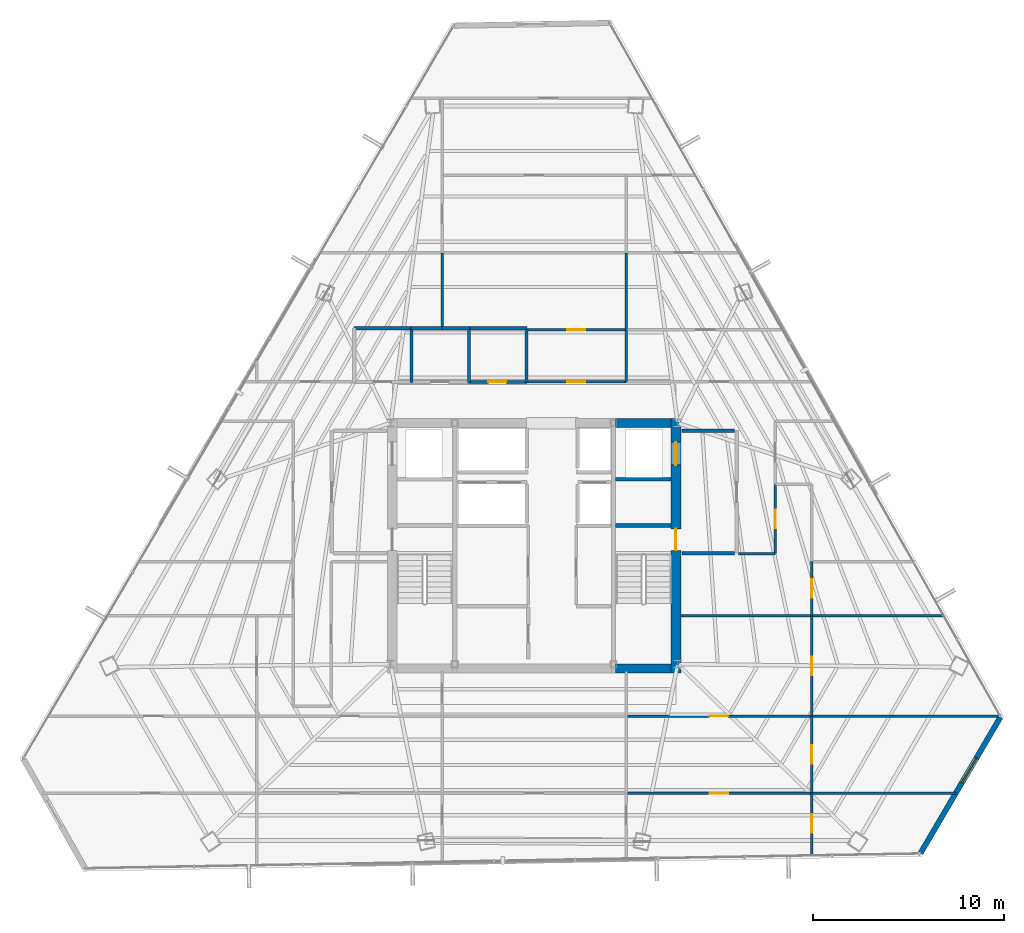
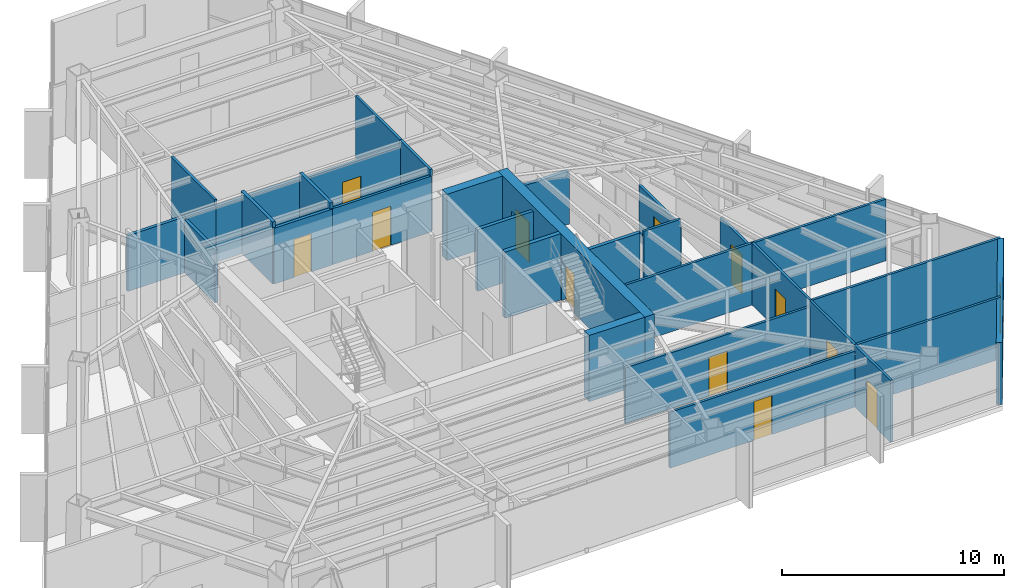
# One storey, part 37 of 42: 33 walls, 12 doors, 1 window, 13 openings.
"""IFC4 building model written with IfcOpenShell, lengths in metres."""

from ifc_helpers import new_model, si_unit, direction, frame, frame_2d, origin, place, context, subcontext, project, spatial, rectangle, extrude, material, layer, layer_set, type_object, element, fill, save


model = new_model("IFC4")

# Units and contexts
model_context = context("Model", 3, precision=1e-05, world=origin(), true_north=direction((0.0, 1.0)))
body_context = subcontext(model_context, "Body", "Model", "MODEL_VIEW")
ifc_project = project(units=[si_unit("LENGTHUNIT", "METRE"), si_unit("AREAUNIT", "SQUARE_METRE"), si_unit("VOLUMEUNIT", "CUBIC_METRE"), si_unit("PLANEANGLEUNIT", "RADIAN"), si_unit("MASSUNIT", "GRAM", prefix="KILO")], contexts=[model_context])

# Site, building, storey
site_placement = place(None, origin())
site = spatial("IfcSite", under=ifc_project, at=site_placement, CompositionType="ELEMENT")
building_placement = place(site_placement, origin())
building = spatial("IfcBuilding", under=site, at=building_placement, Name="Caelisora Broadcast Tower", CompositionType="ELEMENT")
storey_placement = place(building_placement, frame((0.0, 0.0, 195.0)))
storey = spatial("IfcBuildingStorey", under=building, at=storey_placement, Name="L51", CompositionType="ELEMENT", Elevation=195.0)

# Wall, openings, doors
ifc_material_1 = material(Name="Concrete 50 MPa (AS 3600 S50)", Category="concrete")
ifc_layer_1 = layer(ifc_material_1, 0.5, Name="Concrete 50 MPa (AS 3600 S50)")
ifc_layer_set_1 = layer_set([ifc_layer_1], Name="Concrete 50 MPa (AS 3600 S50)")
wall_type_1 = type_object("IfcWallType", Name="CW2", PredefinedType="SHEAR", material=ifc_layer_set_1)
wall_1_placement = place(storey_placement, frame((45.409912109375, 16.949951171875, 0.0), z_axis=(0.0, 0.0, 1.0), x_axis=(0.0, 1.0, 0.0)))
wall_1 = element("IfcWall", 1, at=wall_1_placement, inside=storey, type_object=wall_type_1, Name="L51 core shear wall CW2", PredefinedType="SHEAR", context=body_context, shape_type="SweptSolid", body=[
    extrude(rectangle(XDim=13.275146484375, YDim=0.5, at=frame_2d((6.6376953125, 0.0))), origin(), (0.0, 0.0, 1.0), 3.64990234375),
])
opening_1_placement = place(wall_1_placement, frame((6.39990234375, 0.0, 0.0)))
opening_1 = element("IfcOpeningElement", 2, at=opening_1_placement, cuts=wall_1, Name="Opening FD04", PredefinedType="OPENING", context=body_context, shape_type="SweptSolid", body=[
    extrude(rectangle(XDim=1.1201171875, YDim=2.14990234375, at=frame_2d((0.56005859375, 1.074951171875))), frame((0.0, 0.261962890625, 0.0), z_axis=(0.0, -1.0, 0.0), x_axis=(1.0, 0.0, 0.0)), (0.0, 0.0, 1.0), 0.52392578125),
])
opening_2_placement = place(wall_1_placement, frame((10.85009765625, 0.0, 0.0)))
opening_2 = element("IfcOpeningElement", 3, at=opening_2_placement, cuts=wall_1, Name="Opening LD04", PredefinedType="OPENING", context=body_context, shape_type="SweptSolid", body=[
    extrude(rectangle(XDim=1.199951171875, YDim=2.199951171875, at=frame_2d((0.60009765625, 1.10009765625))), frame((0.0, 0.261962890625, 0.0), z_axis=(0.0, -1.0, 0.0), x_axis=(1.0, 0.0, 0.0)), (0.0, 0.0, 1.0), 0.52392578125),
])
ifc_material_2 = material(Name="Pressurised Fire-Isolated Stair Door", Category="steel")
door_type_1 = type_object("IfcDoorType", Name="FD04", OperationType="NOTDEFINED", PredefinedType="DOOR", material=ifc_material_2)
door_1_placement = place(opening_1_placement, origin())
door_1 = element("IfcDoor", 4, at=door_1_placement, inside=storey, type_object=door_type_1, Name="L51 door FD04 (L51-DR-ST2)", OperationType="SINGLE_SWING_RIGHT", OverallHeight=2.14990234375, OverallWidth=1.1201171875, PredefinedType="DOOR", context=body_context, shape_type="SweptSolid", body=[
    extrude(rectangle(XDim=1.1201171875, YDim=2.14990234375, at=frame_2d((0.56005859375, 1.074951171875))), frame((0.0, 0.02490234375, 0.0), z_axis=(0.0, -1.0, 0.0), x_axis=(1.0, 0.0, 0.0)), (0.0, 0.0, 1.0), 0.050048828125),
])
fill(opening_1, door_1)
ifc_material_3 = material(Name="Emergency Firefighting Lift Sliding Landing Door", Category="steel")
door_type_2 = type_object("IfcDoorType", Name="LD04", OperationType="NOTDEFINED", PredefinedType="DOOR", material=ifc_material_3)
door_2_placement = place(opening_2_placement, origin())
door_2 = element("IfcDoor", 5, at=door_2_placement, inside=storey, type_object=door_type_2, Name="L51 door LD04 (L51-LD-FFL2)", OperationType="SLIDING_TO_RIGHT", OverallHeight=2.199951171875, OverallWidth=1.199951171875, PredefinedType="DOOR", context=body_context, shape_type="SweptSolid", body=[
    extrude(rectangle(XDim=1.199951171875, YDim=2.199951171875, at=frame_2d((0.60009765625, 1.10009765625))), frame((0.0, 0.02490234375, 0.0), z_axis=(0.0, -1.0, 0.0), x_axis=(1.0, 0.0, 0.0)), (0.0, 0.0, 1.0), 0.050048828125),
])
fill(opening_2, door_2)

# Walls
ifc_layer_2 = layer(ifc_material_1, 0.449951171875, Name="Concrete 50 MPa (AS 3600 S50)")
ifc_layer_set_2 = layer_set([ifc_layer_2], Name="Concrete 50 MPa (AS 3600 S50)")
wall_type_2 = type_object("IfcWallType", Name="CW5", PredefinedType="SHEAR", material=ifc_layer_set_2)
for number, where, z_axis, x_axis, name in (
    (6, (42.260009765625, 17.175048828125, 0.0), (0.0, 0.0, 1.0), (1.0, 0.0, 0.0), "L51 core shear wall CW5"),
    (7, (42.260009765625, 30.0, 0.0), (0.0, 0.0, 1.0), (1.0, 0.0, 0.0), "L51 core shear wall CW5"),
):
    element("IfcWall", number, at=place(storey_placement, frame(where, z_axis=z_axis, x_axis=x_axis)), inside=storey, type_object=wall_type_2, Name=name, PredefinedType="SHEAR", context=body_context, shape_type="SweptSolid", body=[
        extrude(rectangle(XDim=2.89990234375, YDim=0.449951171875, at=frame_2d((1.449951171875, 0.0))), origin(), (0.0, 0.0, 1.0), 3.64990234375),
    ])
ifc_layer_3 = layer(ifc_material_1, 0.219970703125, Name="Concrete 50 MPa (AS 3600 S50)")
ifc_layer_set_3 = layer_set([ifc_layer_3], Name="Concrete 50 MPa (AS 3600 S50)")
wall_type_3 = type_object("IfcWallType", Name="CW7", PredefinedType="SHEAR", material=ifc_layer_set_3)
wall_2_placement = place(storey_placement, frame((42.260009765625, 24.639892578125, 0.0), z_axis=(0.0, 0.0, 1.0), x_axis=(1.0, 0.0, 0.0)))
element("IfcWall", 8, at=wall_2_placement, inside=storey, type_object=wall_type_3, Name="L51 core shear wall CW7", PredefinedType="SHEAR", context=body_context, shape_type="SweptSolid", body=[
    extrude(rectangle(XDim=2.89990234375, YDim=0.219970703125, at=frame_2d((1.449951171875, 0.0))), origin(), (0.0, 0.0, 1.0), 3.64990234375),
])

# Wall, opening, window
ifc_material_4 = material(Name="Insulated Terracotta Spandrel Wall System", Category="masonry")
ifc_layer_4 = layer(ifc_material_4, 0.280029296875, Name="Insulated Terracotta Spandrel Wall System")
ifc_layer_set_4 = layer_set([ifc_layer_4], Name="Insulated Terracotta Spandrel Wall System")
wall_type_4 = type_object("IfcWallType", Name="EW1", PredefinedType="STANDARD", material=ifc_layer_set_4)
wall_3_placement = place(storey_placement, frame((62.36181640625, 14.626220703125, 0.0), z_axis=(0.0, 0.0, 1.0), x_axis=(-0.506388960591, -0.86230517834, 0.0)))
wall_3 = element("IfcWall", 9, at=wall_3_placement, inside=storey, type_object=wall_type_4, Name="L51 exterior envelope wall EW1", PredefinedType="STANDARD", context=body_context, shape_type="SweptSolid", body=[
    extrude(rectangle(XDim=8.234130859375, YDim=0.280029296875, at=frame_2d((4.1171875, 0.0))), origin(), (0.0, 0.0, 1.0), 3.39990234375),
])
opening_3_placement = place(wall_3_placement, frame((2.469970703125, 0.0, 0.89990234375)))
opening_3 = element("IfcOpeningElement", 10, at=opening_3_placement, cuts=wall_3, Name="Opening W02", PredefinedType="OPENING", context=body_context, shape_type="SweptSolid", body=[
    extrude(rectangle(XDim=1.5, YDim=1.800048828125, at=frame_2d((0.75, 0.89990234375))), frame((0.0, 0.152099609375, 0.0), z_axis=(0.0, -1.0, 0.0), x_axis=(1.0, 0.0, 0.0)), (0.0, 0.0, 1.0), 0.303955078125),
])
ifc_material_5 = material(Name="Double Glazed Terracotta-Framed Vision Window", Category="glass")
window_type = type_object("IfcWindowType", Name="W02", PartitioningType="SINGLE_PANEL", PredefinedType="WINDOW", material=ifc_material_5)
window_placement = place(opening_3_placement, origin())
window = element("IfcWindow", 11, at=window_placement, inside=storey, type_object=window_type, Name="L51 window W02 (L51-WN-CH0)", OverallHeight=1.800048828125, OverallWidth=1.5, PartitioningType="SINGLE_PANEL", PredefinedType="WINDOW", context=body_context, shape_type="SweptSolid", body=[
    extrude(rectangle(XDim=1.5, YDim=1.800048828125, at=frame_2d((0.75, 0.89990234375))), frame((0.0, 0.030029296875, 0.0), z_axis=(0.0, -1.0, 0.0), x_axis=(1.0, 0.0, 0.0)), (0.0, 0.0, 1.0), 0.06005859375),
])
fill(opening_3, window)

# Walls
ifc_material_6 = material(Name="Fire-Rated Gypsum Shaft and Compartment Wall", Category="gypsum")
ifc_layer_5 = layer(ifc_material_6, 0.179931640625, Name="Fire-Rated Gypsum Shaft and Compartment Wall")
ifc_layer_set_5 = layer_set([ifc_layer_5], Name="Fire-Rated Gypsum Shaft and Compartment Wall")
wall_type_5 = type_object("IfcWallType", Name="PW2", PredefinedType="PARTITIONING", material=ifc_layer_set_5)
wall_4_placement = place(storey_placement, frame((45.719970703125, 23.199951171875, 0.0), z_axis=(0.0, 0.0, 1.0), x_axis=(1.0, 0.0, 0.0)))
element("IfcWall", 12, at=wall_4_placement, inside=storey, type_object=wall_type_5, Name="L51 fire compartment wall PW2", PredefinedType="PARTITIONING", context=body_context, shape_type="SweptSolid", body=[
    extrude(rectangle(XDim=2.760009765625, YDim=0.179931640625, at=frame_2d((1.3798828125, 0.0))), origin(), (0.0, 0.0, 1.0), 3.39990234375),
])
wall_5_placement = place(storey_placement, frame((45.719970703125, 29.60009765625, 0.0), z_axis=(0.0, 0.0, 1.0), x_axis=(1.0, 0.0, 0.0)))
element("IfcWall", 13, at=wall_5_placement, inside=storey, type_object=wall_type_5, Name="L51 fire compartment wall PW2", PredefinedType="PARTITIONING", context=body_context, shape_type="SweptSolid", body=[
    extrude(rectangle(XDim=2.760009765625, YDim=0.179931640625, at=frame_2d((1.3798828125, 0.0))), origin(), (0.0, 0.0, 1.0), 2.924560546875),
])
wall_6_placement = place(storey_placement, frame((42.239990234375, 27.070068359375, 0.0), z_axis=(0.0, 0.0, 1.0), x_axis=(1.0, 0.0, 0.0)))
element("IfcWall", 14, at=wall_6_placement, inside=storey, type_object=wall_type_5, Name="L51 fire compartment wall PW2", PredefinedType="PARTITIONING", context=body_context, shape_type="SweptSolid", body=[
    extrude(rectangle(XDim=2.89990234375, YDim=0.179931640625, at=frame_2d((1.449951171875, 0.0))), origin(), (0.0, 0.0, 1.0), 3.39990234375),
])
ifc_material_7 = material(Name="Acoustic Steel-Stud Plasterboard Partition", Category="gypsum")
ifc_layer_6 = layer(ifc_material_7, 0.1298828125, Name="Acoustic Steel-Stud Plasterboard Partition")
ifc_layer_set_6 = layer_set([ifc_layer_6], Name="Acoustic Steel-Stud Plasterboard Partition")
wall_type_6 = type_object("IfcWallType", Name="PW3", PredefinedType="PARTITIONING", material=ifc_layer_set_6)
wall_7_placement = place(storey_placement, frame((52.5048828125, 14.68994140625, 0.0), z_axis=(0.0, 0.0, 1.0), x_axis=(1.0, 0.0, 0.0)))
element("IfcWall", 15, at=wall_7_placement, inside=storey, type_object=wall_type_6, Name="L51 internal partition PW3", PredefinedType="PARTITIONING", context=body_context, shape_type="SweptSolid", body=[
    extrude(rectangle(XDim=9.856201171875, YDim=0.1298828125, at=frame_2d((4.92822265625, 0.0))), origin(), (0.0, 0.0, 1.0), 3.39990234375),
])

# Wall, opening, door
wall_8_placement = place(storey_placement, frame((42.804931640625, 10.659912109375, 0.0), z_axis=(0.0, 0.0, 1.0), x_axis=(1.0, 0.0, 0.0)))
wall_8 = element("IfcWall", 16, at=wall_8_placement, inside=storey, type_object=wall_type_6, Name="L51 internal partition PW3", PredefinedType="PARTITIONING", context=body_context, shape_type="SweptSolid", body=[
    extrude(rectangle(XDim=9.690185546875, YDim=0.1298828125, at=frame_2d((4.84521484375, 0.0))), origin(), (0.0, 0.0, 1.0), 3.077880859375),
])
opening_4_placement = place(wall_8_placement, frame((4.364990234375, 0.0, 0.0)))
opening_4 = element("IfcOpeningElement", 17, at=opening_4_placement, cuts=wall_8, Name="Opening D01", PredefinedType="OPENING", context=body_context, shape_type="SweptSolid", body=[
    extrude(rectangle(XDim=0.9599609375, YDim=2.14990234375, at=frame_2d((0.47998046875, 1.074951171875))), frame((0.0, 0.076904296875, 0.0), z_axis=(0.0, -1.0, 0.0), x_axis=(1.0, 0.0, 0.0)), (0.0, 0.0, 1.0), 0.15380859375),
])
ifc_material_8 = material(Name="Solid-Core Timber Acoustic Office Door", Category="wood")
door_type_3 = type_object("IfcDoorType", Name="D01", OperationType="NOTDEFINED", PredefinedType="DOOR", material=ifc_material_8)
door_3_placement = place(opening_4_placement, origin())
door_3 = element("IfcDoor", 18, at=door_3_placement, inside=storey, type_object=door_type_3, Name="L51 door D01 (L51-DR-P33D1)", OperationType="SINGLE_SWING_LEFT", OverallHeight=2.14990234375, OverallWidth=0.9599609375, PredefinedType="DOOR", context=body_context, shape_type="SweptSolid", body=[
    extrude(rectangle(XDim=0.9599609375, YDim=2.14990234375, at=frame_2d((0.47998046875, 1.074951171875))), frame((0.0, 0.02490234375, 0.0), z_axis=(0.0, -1.0, 0.0), x_axis=(1.0, 0.0, 0.0)), (0.0, 0.0, 1.0), 0.050048828125),
])
fill(opening_4, door_3)

wall_9_placement = place(storey_placement, frame((42.804931640625, 14.68994140625, 0.0), z_axis=(0.0, 0.0, 1.0), x_axis=(1.0, 0.0, 0.0)))
wall_9 = element("IfcWall", 19, at=wall_9_placement, inside=storey, type_object=wall_type_6, Name="L51 internal partition PW3", PredefinedType="PARTITIONING", context=body_context, shape_type="SweptSolid", body=[
    extrude(rectangle(XDim=9.690185546875, YDim=0.1298828125, at=frame_2d((4.84521484375, 0.0))), origin(), (0.0, 0.0, 1.0), 3.077880859375),
])
opening_5_placement = place(wall_9_placement, frame((4.364990234375, 0.0, 0.0)))
opening_5 = element("IfcOpeningElement", 20, at=opening_5_placement, cuts=wall_9, Name="Opening D01", PredefinedType="OPENING", context=body_context, shape_type="SweptSolid", body=[
    extrude(rectangle(XDim=0.9599609375, YDim=2.14990234375, at=frame_2d((0.47998046875, 1.074951171875))), frame((0.0, 0.076904296875, 0.0), z_axis=(0.0, -1.0, 0.0), x_axis=(1.0, 0.0, 0.0)), (0.0, 0.0, 1.0), 0.15380859375),
])
door_4_placement = place(opening_5_placement, origin())
door_4 = element("IfcDoor", 21, at=door_4_placement, inside=storey, type_object=door_type_3, Name="L51 door D01 (L51-DR-P34D1)", OperationType="SINGLE_SWING_RIGHT", OverallHeight=2.14990234375, OverallWidth=0.9599609375, PredefinedType="DOOR", context=body_context, shape_type="SweptSolid", body=[
    extrude(rectangle(XDim=0.9599609375, YDim=2.14990234375, at=frame_2d((0.47998046875, 1.074951171875))), frame((0.0, 0.02490234375, 0.0), z_axis=(0.0, -1.0, 0.0), x_axis=(1.0, 0.0, 0.0)), (0.0, 0.0, 1.0), 0.050048828125),
])
fill(opening_5, door_4)

# Walls
wall_10_placement = place(storey_placement, frame((52.5048828125, 10.659912109375, 0.0), z_axis=(0.0, 0.0, 1.0), x_axis=(1.0, 0.0, 0.0)))
element("IfcWall", 22, at=wall_10_placement, inside=storey, type_object=wall_type_6, Name="L51 internal partition PW3", PredefinedType="PARTITIONING", context=body_context, shape_type="SweptSolid", body=[
    extrude(rectangle(XDim=7.53369140625, YDim=0.1298828125, at=frame_2d((3.766845703125, 0.0))), origin(), (0.0, 0.0, 1.0), 3.39990234375),
])
wall_11_placement = place(storey_placement, frame((52.5048828125, 19.929931640625, 0.0), z_axis=(0.0, 0.0, 1.0), x_axis=(1.0, 0.0, 0.0)))
element("IfcWall", 23, at=wall_11_placement, inside=storey, type_object=wall_type_6, Name="L51 internal partition PW3", PredefinedType="PARTITIONING", context=body_context, shape_type="SweptSolid", body=[
    extrude(rectangle(XDim=6.90283203125, YDim=0.1298828125, at=frame_2d((3.451416015625, 0.0))), origin(), (0.0, 0.0, 1.0), 3.39990234375),
])
wall_12_placement = place(storey_placement, frame((45.675048828125, 19.929931640625, 0.0), z_axis=(0.0, 0.0, 1.0), x_axis=(1.0, 0.0, 0.0)))
element("IfcWall", 24, at=wall_12_placement, inside=storey, type_object=wall_type_6, Name="L51 internal partition PW3", PredefinedType="PARTITIONING", context=body_context, shape_type="SweptSolid", body=[
    extrude(rectangle(XDim=6.820068359375, YDim=0.1298828125, at=frame_2d((3.41015625, 0.0))), origin(), (0.0, 0.0, 1.0), 3.39990234375),
])

# Wall, opening, door
wall_13_placement = place(storey_placement, frame((52.5, 14.695068359375, 0.0), z_axis=(0.0, 0.0, 1.0), x_axis=(0.0, 1.0, 0.0)))
wall_13 = element("IfcWall", 25, at=wall_13_placement, inside=storey, type_object=wall_type_6, Name="L51 internal partition PW3", PredefinedType="PARTITIONING", context=body_context, shape_type="SweptSolid", body=[
    extrude(rectangle(XDim=5.22998046875, YDim=0.1298828125, at=frame_2d((2.614990234375, 0.0))), origin(), (0.0, 0.0, 1.0), 3.39990234375),
])
opening_6_placement = place(wall_13_placement, frame((2.135009765625, 0.0, 0.0)))
opening_6 = element("IfcOpeningElement", 26, at=opening_6_placement, cuts=wall_13, Name="Opening D01", PredefinedType="OPENING", context=body_context, shape_type="SweptSolid", body=[
    extrude(rectangle(XDim=0.9599609375, YDim=2.14990234375, at=frame_2d((0.47998046875, 1.074951171875))), frame((0.0, 0.076904296875, 0.0), z_axis=(0.0, -1.0, 0.0), x_axis=(1.0, 0.0, 0.0)), (0.0, 0.0, 1.0), 0.15380859375),
])
door_5_placement = place(opening_6_placement, origin())
door_5 = element("IfcDoor", 27, at=door_5_placement, inside=storey, type_object=door_type_3, Name="L51 door D01 (L51-DR-P52D1)", OperationType="SINGLE_SWING_RIGHT", OverallHeight=2.14990234375, OverallWidth=0.9599609375, PredefinedType="DOOR", context=body_context, shape_type="SweptSolid", body=[
    extrude(rectangle(XDim=0.9599609375, YDim=2.14990234375, at=frame_2d((0.47998046875, 1.074951171875))), frame((0.0, 0.02490234375, 0.0), z_axis=(0.0, -1.0, 0.0), x_axis=(1.0, 0.0, 0.0)), (0.0, 0.0, 1.0), 0.050048828125),
])
fill(opening_6, door_5)

wall_14_placement = place(storey_placement, frame((37.60498046875, 32.14990234375, 0.0), z_axis=(0.0, 0.0, 1.0), x_axis=(1.0, 0.0, 0.0)))
wall_14 = element("IfcWall", 28, at=wall_14_placement, inside=storey, type_object=wall_type_6, Name="L51 internal partition PW3", PredefinedType="PARTITIONING", context=body_context, shape_type="SweptSolid", body=[
    extrude(rectangle(XDim=5.18994140625, YDim=0.1298828125, at=frame_2d((2.594970703125, 0.0))), origin(), (0.0, 0.0, 1.0), 3.077880859375),
])
opening_7_placement = place(wall_14_placement, frame((2.114990234375, 0.0, 0.0)))
opening_7 = element("IfcOpeningElement", 29, at=opening_7_placement, cuts=wall_14, Name="Opening D01", PredefinedType="OPENING", context=body_context, shape_type="SweptSolid", body=[
    extrude(rectangle(XDim=0.9599609375, YDim=2.14990234375, at=frame_2d((0.47998046875, 1.074951171875))), frame((0.0, 0.076904296875, 0.0), z_axis=(0.0, -1.0, 0.0), x_axis=(1.0, 0.0, 0.0)), (0.0, 0.0, 1.0), 0.15380859375),
])
door_6_placement = place(opening_7_placement, origin())
door_6 = element("IfcDoor", 30, at=door_6_placement, inside=storey, type_object=door_type_3, Name="L51 door D01 (L51-DR-P53D1)", OperationType="SINGLE_SWING_LEFT", OverallHeight=2.14990234375, OverallWidth=0.9599609375, PredefinedType="DOOR", context=body_context, shape_type="SweptSolid", body=[
    extrude(rectangle(XDim=0.9599609375, YDim=2.14990234375, at=frame_2d((0.47998046875, 1.074951171875))), frame((0.0, 0.02490234375, 0.0), z_axis=(0.0, -1.0, 0.0), x_axis=(1.0, 0.0, 0.0)), (0.0, 0.0, 1.0), 0.050048828125),
])
fill(opening_7, door_6)

wall_15_placement = place(storey_placement, frame((37.60498046875, 34.8701171875, 0.0), z_axis=(0.0, 0.0, 1.0), x_axis=(1.0, 0.0, 0.0)))
wall_15 = element("IfcWall", 31, at=wall_15_placement, inside=storey, type_object=wall_type_6, Name="L51 internal partition PW3", PredefinedType="PARTITIONING", context=body_context, shape_type="SweptSolid", body=[
    extrude(rectangle(XDim=5.18994140625, YDim=0.1298828125, at=frame_2d((2.594970703125, 0.0))), origin(), (0.0, 0.0, 1.0), 3.077880859375),
])
opening_8_placement = place(wall_15_placement, frame((2.114990234375, 0.0, 0.0)))
opening_8 = element("IfcOpeningElement", 32, at=opening_8_placement, cuts=wall_15, Name="Opening D01", PredefinedType="OPENING", context=body_context, shape_type="SweptSolid", body=[
    extrude(rectangle(XDim=0.9599609375, YDim=2.14990234375, at=frame_2d((0.47998046875, 1.074951171875))), frame((0.0, 0.076904296875, 0.0), z_axis=(0.0, -1.0, 0.0), x_axis=(1.0, 0.0, 0.0)), (0.0, 0.0, 1.0), 0.15380859375),
])
door_7_placement = place(opening_8_placement, origin())
door_7 = element("IfcDoor", 33, at=door_7_placement, inside=storey, type_object=door_type_3, Name="L51 door D01 (L51-DR-P54D1)", OperationType="SINGLE_SWING_RIGHT", OverallHeight=2.14990234375, OverallWidth=0.9599609375, PredefinedType="DOOR", context=body_context, shape_type="SweptSolid", body=[
    extrude(rectangle(XDim=0.9599609375, YDim=2.14990234375, at=frame_2d((0.47998046875, 1.074951171875))), frame((0.0, 0.02490234375, 0.0), z_axis=(0.0, -1.0, 0.0), x_axis=(1.0, 0.0, 0.0)), (0.0, 0.0, 1.0), 0.050048828125),
])
fill(opening_8, door_7)

# Wall
wall_16_placement = place(storey_placement, frame((42.800048828125, 34.875, 0.0), z_axis=(0.0, 0.0, 1.0), x_axis=(0.0, 1.0, 0.0)))
element("IfcWall", 34, at=wall_16_placement, inside=storey, type_object=wall_type_6, Name="L51 internal partition PW3", PredefinedType="PARTITIONING", context=body_context, shape_type="SweptSolid", body=[
    extrude(rectangle(XDim=4.02001953125, YDim=0.1298828125, at=frame_2d((2.010009765625, 0.0))), origin(), (0.0, 0.0, 1.0), 3.39990234375),
])

# Wall, opening, door
wall_17_placement = place(storey_placement, frame((52.5, 10.6650390625, 0.0), z_axis=(0.0, 0.0, 1.0), x_axis=(0.0, 1.0, 0.0)))
wall_17 = element("IfcWall", 35, at=wall_17_placement, inside=storey, type_object=wall_type_6, Name="L51 internal partition PW3", PredefinedType="PARTITIONING", context=body_context, shape_type="SweptSolid", body=[
    extrude(rectangle(XDim=4.02001953125, YDim=0.1298828125, at=frame_2d((2.010009765625, 0.0))), origin(), (0.0, 0.0, 1.0), 3.39990234375),
])
opening_9_placement = place(wall_17_placement, frame((1.530029296875, 0.0, 0.0)))
opening_9 = element("IfcOpeningElement", 36, at=opening_9_placement, cuts=wall_17, Name="Opening D01", PredefinedType="OPENING", context=body_context, shape_type="SweptSolid", body=[
    extrude(rectangle(XDim=0.9599609375, YDim=2.14990234375, at=frame_2d((0.47998046875, 1.074951171875))), frame((0.0, 0.076904296875, 0.0), z_axis=(0.0, -1.0, 0.0), x_axis=(1.0, 0.0, 0.0)), (0.0, 0.0, 1.0), 0.15380859375),
])
door_8_placement = place(opening_9_placement, origin())
door_8 = element("IfcDoor", 37, at=door_8_placement, inside=storey, type_object=door_type_3, Name="L51 door D01 (L51-DR-P65D1)", OperationType="SINGLE_SWING_LEFT", OverallHeight=2.14990234375, OverallWidth=0.9599609375, PredefinedType="DOOR", context=body_context, shape_type="SweptSolid", body=[
    extrude(rectangle(XDim=0.9599609375, YDim=2.14990234375, at=frame_2d((0.47998046875, 1.074951171875))), frame((0.0, 0.02490234375, 0.0), z_axis=(0.0, -1.0, 0.0), x_axis=(1.0, 0.0, 0.0)), (0.0, 0.0, 1.0), 0.050048828125),
])
fill(opening_9, door_8)

# Wall
wall_18_placement = place(storey_placement, frame((33.199951171875, 34.955078125, 0.0), z_axis=(0.0, 0.0, 1.0), x_axis=(0.0, 1.0, 0.0)))
element("IfcWall", 38, at=wall_18_placement, inside=storey, type_object=wall_type_6, Name="L51 internal partition PW3", PredefinedType="PARTITIONING", context=body_context, shape_type="SweptSolid", body=[
    extrude(rectangle(XDim=3.93994140625, YDim=0.1298828125, at=frame_2d((1.969970703125, 0.0))), origin(), (0.0, 0.0, 1.0), 3.39990234375),
])

# Wall, opening, door
wall_19_placement = place(storey_placement, frame((50.60009765625, 23.18505859375, 0.0), z_axis=(0.0, 0.0, 1.0), x_axis=(0.0, 1.0, 0.0)))
wall_19 = element("IfcWall", 39, at=wall_19_placement, inside=storey, type_object=wall_type_6, Name="L51 internal partition PW3", PredefinedType="PARTITIONING", context=body_context, shape_type="SweptSolid", body=[
    extrude(rectangle(XDim=3.60986328125, YDim=0.1298828125, at=frame_2d((1.804931640625, 0.0))), origin(), (0.0, 0.0, 1.0), 3.077880859375),
])
opening_10_placement = place(wall_19_placement, frame((1.324951171875, 0.0, 0.0)))
opening_10 = element("IfcOpeningElement", 40, at=opening_10_placement, cuts=wall_19, Name="Opening D01", PredefinedType="OPENING", context=body_context, shape_type="SweptSolid", body=[
    extrude(rectangle(XDim=0.9599609375, YDim=2.14990234375, at=frame_2d((0.47998046875, 1.074951171875))), frame((0.0, 0.076904296875, 0.0), z_axis=(0.0, -1.0, 0.0), x_axis=(1.0, 0.0, 0.0)), (0.0, 0.0, 1.0), 0.15380859375),
])
door_9_placement = place(opening_10_placement, origin())
door_9 = element("IfcDoor", 41, at=door_9_placement, inside=storey, type_object=door_type_3, Name="L51 door D01 (L51-DR-P71D1)", OperationType="SINGLE_SWING_RIGHT", OverallHeight=2.14990234375, OverallWidth=0.9599609375, PredefinedType="DOOR", context=body_context, shape_type="SweptSolid", body=[
    extrude(rectangle(XDim=0.9599609375, YDim=2.14990234375, at=frame_2d((0.47998046875, 1.074951171875))), frame((0.0, 0.02490234375, 0.0), z_axis=(0.0, -1.0, 0.0), x_axis=(1.0, 0.0, 0.0)), (0.0, 0.0, 1.0), 0.050048828125),
])
fill(opening_10, door_9)

wall_20_placement = place(storey_placement, frame((52.5, 7.394775390625, 0.0), z_axis=(0.0, 0.0, 1.0), x_axis=(0.0, 1.0, 0.0)))
wall_20 = element("IfcWall", 42, at=wall_20_placement, inside=storey, type_object=wall_type_6, Name="L51 internal partition PW3", PredefinedType="PARTITIONING", context=body_context, shape_type="SweptSolid", body=[
    extrude(rectangle(XDim=3.26025390625, YDim=0.1298828125, at=frame_2d((1.630126953125, 0.0))), origin(), (0.0, 0.0, 1.0), 3.39990234375),
])
opening_11_placement = place(wall_20_placement, frame((1.197021484375, 0.0, 0.0)))
opening_11 = element("IfcOpeningElement", 43, at=opening_11_placement, cuts=wall_20, Name="Opening D01", PredefinedType="OPENING", context=body_context, shape_type="SweptSolid", body=[
    extrude(rectangle(XDim=0.9599609375, YDim=2.14990234375, at=frame_2d((0.47998046875, 1.074951171875))), frame((0.0, 0.076904296875, 0.0), z_axis=(0.0, -1.0, 0.0), x_axis=(1.0, 0.0, 0.0)), (0.0, 0.0, 1.0), 0.15380859375),
])
door_10_placement = place(opening_11_placement, origin())
door_10 = element("IfcDoor", 44, at=door_10_placement, inside=storey, type_object=door_type_3, Name="L51 door D01 (L51-DR-P73D1)", OperationType="SINGLE_SWING_RIGHT", OverallHeight=2.14990234375, OverallWidth=0.9599609375, PredefinedType="DOOR", context=body_context, shape_type="SweptSolid", body=[
    extrude(rectangle(XDim=0.9599609375, YDim=2.14990234375, at=frame_2d((0.47998046875, 1.074951171875))), frame((0.0, 0.02490234375, 0.0), z_axis=(0.0, -1.0, 0.0), x_axis=(1.0, 0.0, 0.0)), (0.0, 0.0, 1.0), 0.050048828125),
])
fill(opening_11, door_10)

wall_21_placement = place(storey_placement, frame((52.5, 19.93505859375, 0.0), z_axis=(0.0, 0.0, 1.0), x_axis=(0.0, 1.0, 0.0)))
wall_21 = element("IfcWall", 45, at=wall_21_placement, inside=storey, type_object=wall_type_6, Name="L51 internal partition PW3", PredefinedType="PARTITIONING", context=body_context, shape_type="SweptSolid", body=[
    extrude(rectangle(XDim=2.81982421875, YDim=0.1298828125, at=frame_2d((1.409912109375, 0.0))), origin(), (0.0, 0.0, 1.0), 3.077880859375),
])
opening_12_placement = place(wall_21_placement, frame((0.929931640625, 0.0, 0.0)))
opening_12 = element("IfcOpeningElement", 46, at=opening_12_placement, cuts=wall_21, Name="Opening D01", PredefinedType="OPENING", context=body_context, shape_type="SweptSolid", body=[
    extrude(rectangle(XDim=0.9599609375, YDim=2.14990234375, at=frame_2d((0.47998046875, 1.074951171875))), frame((0.0, 0.076904296875, 0.0), z_axis=(0.0, -1.0, 0.0), x_axis=(1.0, 0.0, 0.0)), (0.0, 0.0, 1.0), 0.15380859375),
])
door_11_placement = place(opening_12_placement, origin())
door_11 = element("IfcDoor", 47, at=door_11_placement, inside=storey, type_object=door_type_3, Name="L51 door D01 (L51-DR-P78D1)", OperationType="SINGLE_SWING_LEFT", OverallHeight=2.14990234375, OverallWidth=0.9599609375, PredefinedType="DOOR", context=body_context, shape_type="SweptSolid", body=[
    extrude(rectangle(XDim=0.9599609375, YDim=2.14990234375, at=frame_2d((0.47998046875, 1.074951171875))), frame((0.0, 0.02490234375, 0.0), z_axis=(0.0, -1.0, 0.0), x_axis=(1.0, 0.0, 0.0)), (0.0, 0.0, 1.0), 0.050048828125),
])
fill(opening_12, door_11)

# Walls
wall_22_placement = place(storey_placement, frame((42.800048828125, 32.155029296875, 0.0), z_axis=(0.0, 0.0, 1.0), x_axis=(0.0, 1.0, 0.0)))
element("IfcWall", 48, at=wall_22_placement, inside=storey, type_object=wall_type_6, Name="L51 internal partition PW3", PredefinedType="PARTITIONING", context=body_context, shape_type="SweptSolid", body=[
    extrude(rectangle(XDim=2.7099609375, YDim=0.1298828125, at=frame_2d((1.35498046875, 0.0))), origin(), (0.0, 0.0, 1.0), 3.39990234375),
])
wall_23_placement = place(storey_placement, frame((48.675048828125, 23.179931640625, 0.0), z_axis=(0.0, 0.0, 1.0), x_axis=(1.0, 0.0, 0.0)))
element("IfcWall", 49, at=wall_23_placement, inside=storey, type_object=wall_type_6, Name="L51 internal partition PW3", PredefinedType="PARTITIONING", context=body_context, shape_type="SweptSolid", body=[
    extrude(rectangle(XDim=1.919921875, YDim=0.1298828125, at=frame_2d((0.9599609375, 0.0))), origin(), (0.0, 0.0, 1.0), 3.39990234375),
])

# Wall, opening, door
ifc_material_9 = material(Name="Moisture-Resistant Wet Plumbing Service Wall", Category="gypsum")
ifc_layer_7 = layer(ifc_material_9, 0.159912109375, Name="Moisture-Resistant Wet Plumbing Service Wall")
ifc_layer_set_7 = layer_set([ifc_layer_7], Name="Moisture-Resistant Wet Plumbing Service Wall")
wall_type_7 = type_object("IfcWallType", Name="PW4", PredefinedType="PLUMBINGWALL", material=ifc_layer_set_7)
wall_24_placement = place(storey_placement, frame((34.574951171875, 32.14990234375, 0.0), z_axis=(0.0, 0.0, 1.0), x_axis=(1.0, 0.0, 0.0)))
wall_24 = element("IfcWall", 50, at=wall_24_placement, inside=storey, type_object=wall_type_7, Name="L51 wet plumbing wall PW4", PredefinedType="PLUMBINGWALL", context=body_context, shape_type="SweptSolid", body=[
    extrude(rectangle(XDim=3.050048828125, YDim=0.159912109375, at=frame_2d((1.52490234375, 0.0))), origin(), (0.0, 0.0, 1.0), 3.077880859375),
])
opening_13_placement = place(wall_24_placement, frame((1.034912109375, 0.0, 0.0)))
opening_13 = element("IfcOpeningElement", 51, at=opening_13_placement, cuts=wall_24, Name="Opening D03", PredefinedType="OPENING", context=body_context, shape_type="SweptSolid", body=[
    extrude(rectangle(XDim=0.919921875, YDim=2.10009765625, at=frame_2d((0.4599609375, 1.050048828125))), frame((0.0, 0.092041015625, 0.0), z_axis=(0.0, -1.0, 0.0), x_axis=(1.0, 0.0, 0.0)), (0.0, 0.0, 1.0), 0.183837890625),
])
ifc_material_10 = material(Name="Laminate Moisture-Resistant Amenity WC Door", Category="wood")
door_type_4 = type_object("IfcDoorType", Name="D03", OperationType="NOTDEFINED", PredefinedType="DOOR", material=ifc_material_10)
door_12_placement = place(opening_13_placement, origin())
door_12 = element("IfcDoor", 52, at=door_12_placement, inside=storey, type_object=door_type_4, Name="L51 door D03 (L51-DR-P16D1)", OperationType="SINGLE_SWING_RIGHT", OverallHeight=2.10009765625, OverallWidth=0.919921875, PredefinedType="DOOR", context=body_context, shape_type="SweptSolid", body=[
    extrude(rectangle(XDim=0.919921875, YDim=2.10009765625, at=frame_2d((0.4599609375, 1.050048828125))), frame((0.0, 0.02490234375, 0.0), z_axis=(0.0, -1.0, 0.0), x_axis=(1.0, 0.0, 0.0)), (0.0, 0.0, 1.0), 0.050048828125),
])
fill(opening_13, door_12)

# Walls
for number, where, z_axis, x_axis, name in (
    (53, (28.574951171875, 34.949951171875, 0.0), (0.0, 0.0, 1.0), (1.0, 0.0, 0.0), "L51 wet plumbing wall PW4"),
    (54, (34.574951171875, 34.949951171875, 0.0), (0.0, 0.0, 1.0), (1.0, 0.0, 0.0), "L51 wet plumbing wall PW4"),
):
    element("IfcWall", number, at=place(storey_placement, frame(where, z_axis=z_axis, x_axis=x_axis)), inside=storey, type_object=wall_type_7, Name=name, PredefinedType="PLUMBINGWALL", context=body_context, shape_type="SweptSolid", body=[
        extrude(rectangle(XDim=3.050048828125, YDim=0.159912109375, at=frame_2d((1.52490234375, 0.0))), origin(), (0.0, 0.0, 1.0), 3.077880859375),
    ])
wall_25_placement = place(storey_placement, frame((31.60009765625, 32.125, 0.0), z_axis=(0.0, 0.0, 1.0), x_axis=(0.0, 1.0, 0.0)))
element("IfcWall", 55, at=wall_25_placement, inside=storey, type_object=wall_type_7, Name="L51 wet plumbing wall PW4", PredefinedType="PLUMBINGWALL", context=body_context, shape_type="SweptSolid", body=[
    extrude(rectangle(XDim=2.85009765625, YDim=0.159912109375, at=frame_2d((1.425048828125, 0.0))), origin(), (0.0, 0.0, 1.0), 2.924560546875),
])
wall_26_placement = place(storey_placement, frame((34.60009765625, 32.125, 0.0), z_axis=(0.0, 0.0, 1.0), x_axis=(0.0, 1.0, 0.0)))
element("IfcWall", 56, at=wall_26_placement, inside=storey, type_object=wall_type_7, Name="L51 wet plumbing wall PW4", PredefinedType="PLUMBINGWALL", context=body_context, shape_type="SweptSolid", body=[
    extrude(rectangle(XDim=2.85009765625, YDim=0.159912109375, at=frame_2d((1.425048828125, 0.0))), origin(), (0.0, 0.0, 1.0), 3.39990234375),
])
wall_27_placement = place(storey_placement, frame((37.60009765625, 32.125, 0.0), z_axis=(0.0, 0.0, 1.0), x_axis=(0.0, 1.0, 0.0)))
element("IfcWall", 57, at=wall_27_placement, inside=storey, type_object=wall_type_7, Name="L51 wet plumbing wall PW4", PredefinedType="PLUMBINGWALL", context=body_context, shape_type="SweptSolid", body=[
    extrude(rectangle(XDim=2.77001953125, YDim=0.159912109375, at=frame_2d((1.385009765625, 0.0))), origin(), (0.0, 0.0, 1.0), 3.39990234375),
])
wall_28_placement = place(storey_placement, frame((31.574951171875, 34.949951171875, 0.0), z_axis=(0.0, 0.0, 1.0), x_axis=(1.0, 0.0, 0.0)))
element("IfcWall", 58, at=wall_28_placement, inside=storey, type_object=wall_type_7, Name="L51 wet plumbing wall PW4", PredefinedType="PLUMBINGWALL", context=body_context, shape_type="SweptSolid", body=[
    extrude(rectangle(XDim=1.650146484375, YDim=0.159912109375, at=frame_2d((0.8251953125, 0.0))), origin(), (0.0, 0.0, 1.0), 3.077880859375),
])
wall_29_placement = place(storey_placement, frame((33.175048828125, 34.949951171875, 0.0), z_axis=(0.0, 0.0, 1.0), x_axis=(1.0, 0.0, 0.0)))
element("IfcWall", 59, at=wall_29_placement, inside=storey, type_object=wall_type_7, Name="L51 wet plumbing wall PW4", PredefinedType="PLUMBINGWALL", context=body_context, shape_type="SweptSolid", body=[
    extrude(rectangle(XDim=1.449951171875, YDim=0.159912109375, at=frame_2d((0.72509765625, 0.0))), origin(), (0.0, 0.0, 1.0), 3.077880859375),
])

save(model, "model.ifc")
